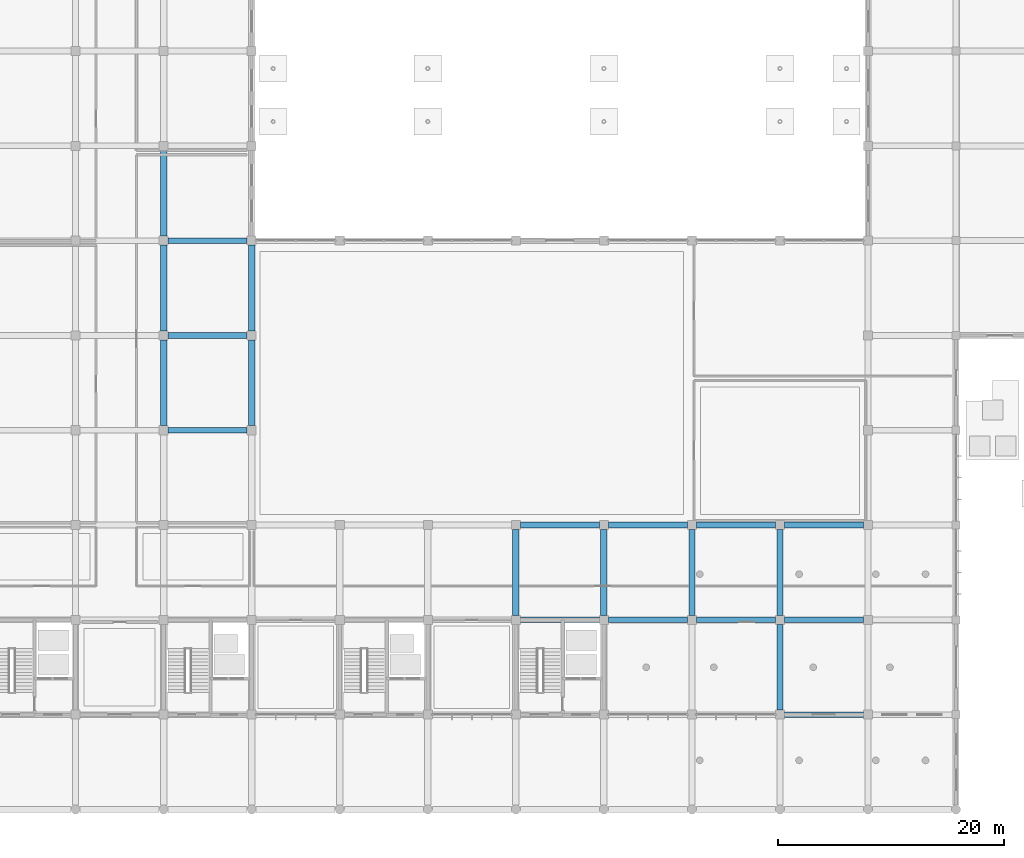
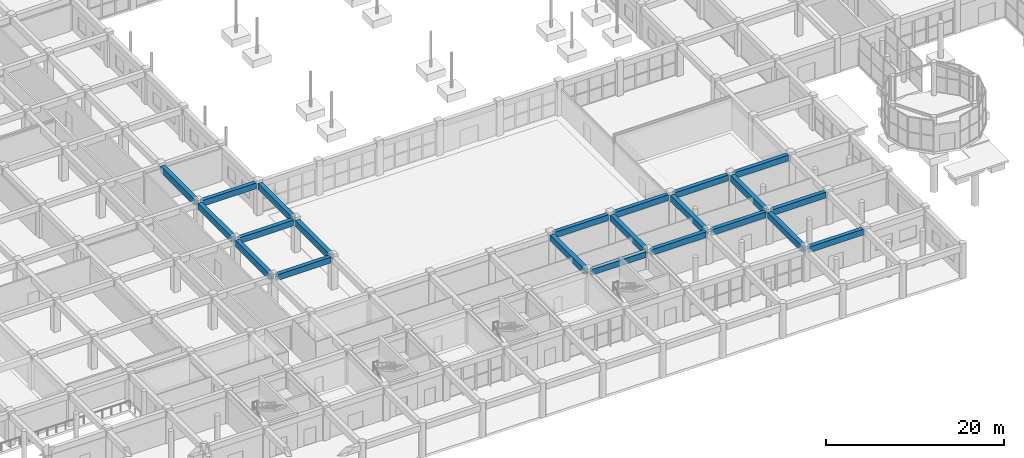
# One storey, part 22 of 139: 22 beams.
"""IFC4 building model written with IfcOpenShell, lengths in metres."""

import ifcopenshell
import ifcopenshell.guid

model = None  # the IFC model being written
_history = None  # IfcOwnerHistory: only IFC2X3 demands one
_inside = {}  # id of a spatial element -> (the spatial element, [elements in it])
_under = {}  # id of a project, library or spatial element -> (it, [spatial elements below it])
_declared = {}  # id of a project -> (the project, [libraries it declares])
_typed = {}  # id of a type object -> (the type object, [elements of that type])
_made_of = {}  # id of a material, layer set ... -> (it, [elements and type objects made of it])


def new_model(schema):
    """Start an empty IFC model of exactly this schema.

    Asked for "IFC4X3", IfcOpenShell would pick the latest addendum, in which some entities
    have other attributes; the version numbers below select the first issue.
    IFC2X3 requires an IfcOwnerHistory on every rooted entity: one is made here for all.
    """
    global model, _history
    if schema == "IFC4X3":
        model = ifcopenshell.file(schema_version=(4, 3, 0, 0))
    else:
        model = ifcopenshell.file(schema=schema)
    _inside.clear()
    _under.clear()
    _declared.clear()
    _typed.clear()
    _made_of.clear()
    _history = None
    if model.schema == "IFC2X3":
        org = make("IfcOrganization", Name="unknown")
        user = make(
            "IfcPersonAndOrganization",
            ThePerson=make("IfcPerson", FamilyName="unknown"),
            TheOrganization=org,
        )
        app = make(
            "IfcApplication",
            ApplicationDeveloper=org,
            Version="unknown",
            ApplicationFullName="unknown",
            ApplicationIdentifier="unknown",
        )
        _history = make(
            "IfcOwnerHistory",
            OwningUser=user,
            OwningApplication=app,
            ChangeAction="ADDED",
            CreationDate=0,
        )
    return model


def make(cls, **values):
    """One entity of the class cls with the attributes given. An attribute that is None is left unset."""
    return model.create_entity(
        cls, **{name: value for name, value in values.items() if value is not None}
    )


def rooted(cls, **values):
    """An entity with a GlobalId (a new one), such as an element, a storey or a relation."""
    return make(cls, GlobalId=ifcopenshell.guid.new(), OwnerHistory=_history, **values)


def si_unit(unit_type, name, prefix=None):
    """IfcSIUnit, for example si_unit("LENGTHUNIT", "METRE", prefix="MILLI")."""
    return make("IfcSIUnit", UnitType=unit_type, Prefix=prefix, Name=name)


def assignment(units):
    """IfcUnitAssignment: the units of a project."""
    return None if units is None else make("IfcUnitAssignment", Units=units)


def point(xyz):
    """IfcCartesianPoint."""
    return None if xyz is None else make("IfcCartesianPoint", Coordinates=xyz)


def direction(xyz):
    """IfcDirection."""
    return None if xyz is None else make("IfcDirection", DirectionRatios=xyz)


def frame(location, z_axis=None, x_axis=None):
    """IfcAxis2Placement3D, a coordinate frame: its origin and axes. An axis left out is left unset."""
    return make(
        "IfcAxis2Placement3D",
        Location=point(location),
        Axis=direction(z_axis),
        RefDirection=direction(x_axis),
    )


def frame_2d(location, x_axis=None):
    """IfcAxis2Placement2D, a coordinate frame in the plane: its origin and x axis."""
    return make(
        "IfcAxis2Placement2D", Location=point(location), RefDirection=direction(x_axis)
    )


def origin():
    """The frame at (0, 0, 0) with its axes left unset."""
    return frame((0.0, 0.0, 0.0))


def origin_2d():
    """The frame at (0, 0) in the plane with its x axis left unset."""
    return frame_2d((0.0, 0.0))


def place(relative_to, where):
    """IfcLocalPlacement: puts the frame where relative to a parent placement (None: the world)."""
    return make(
        "IfcLocalPlacement", PlacementRelTo=relative_to, RelativePlacement=where
    )


def context(
    kind, dimensions, precision=None, world=None, true_north=None, identifier=None
):
    """IfcGeometricRepresentationContext, for example the 3D "Model" context."""
    return make(
        "IfcGeometricRepresentationContext",
        ContextIdentifier=identifier,
        ContextType=kind,
        CoordinateSpaceDimension=dimensions,
        Precision=precision,
        WorldCoordinateSystem=world,
        TrueNorth=true_north,
    )


def subcontext(parent, identifier, kind, view, scale=None):
    """IfcGeometricRepresentationSubContext, for example "Body" below "Model"."""
    return make(
        "IfcGeometricRepresentationSubContext",
        ContextIdentifier=identifier,
        ContextType=kind,
        ParentContext=parent,
        TargetScale=scale,
        TargetView=view,
    )


def project(units=None, contexts=None):
    """IfcProject with its units and contexts."""
    return rooted(
        "IfcProject",
        Name="project",
        RepresentationContexts=contexts,
        UnitsInContext=assignment(units),
    )


def spatial(cls, under=None, at=None, **own):
    """A site, building, storey or space (cls), placed at a placement, below another one or the project."""
    s = rooted(cls, ObjectPlacement=at, **own)
    if under is not None:
        _under.setdefault(under.id(), (under, []))[1].append(s)
    return s


def profile(cls, at=None, kind="AREA", **sizes):
    """A parametric profile (cls). Its sizes go by their IFC names, for example OverallWidth=200.0."""
    return make(cls, ProfileType=kind, Position=at, **sizes)


def rectangle(**sizes):
    """IfcRectangleProfileDef."""
    return profile("IfcRectangleProfileDef", **sizes)


def extrude(swept, where, along, depth):
    """IfcExtrudedAreaSolid: the profile swept, set in the frame where, extruded along a direction by depth."""
    return make(
        "IfcExtrudedAreaSolid",
        SweptArea=swept,
        Position=where,
        ExtrudedDirection=direction(along),
        Depth=depth,
    )


def shape(context_of_items, identifier, shape_type, items):
    """IfcShapeRepresentation: the items that make up one representation, for example the "Body"."""
    return make(
        "IfcShapeRepresentation",
        ContextOfItems=context_of_items,
        RepresentationIdentifier=identifier,
        RepresentationType=shape_type,
        Items=items,
    )


def material(Name=None, Category=None):
    """IfcMaterial."""
    return make("IfcMaterial", Name=Name, Category=Category)


def material_profile(
    of_material, cross_section, Name=None, Category=None, Priority=None
):
    """IfcMaterialProfile: a cross section and its material."""
    return make(
        "IfcMaterialProfile",
        Name=Name,
        Material=of_material,
        Profile=cross_section,
        Priority=Priority,
        Category=Category,
    )


def profile_set(profiles, Name=None, composite=None):
    """IfcMaterialProfileSet."""
    return make(
        "IfcMaterialProfileSet",
        Name=Name,
        MaterialProfiles=profiles,
        CompositeProfile=composite,
    )


def made_of(thing, what):
    """Note that an element or type object is made of a material, layer set ...; save() writes the relation."""
    if what is not None:
        _made_of.setdefault(what.id(), (what, []))[1].append(thing)
    return thing


def type_object(cls, material=None, **own):
    """A type object (cls), such as IfcWallType, which elements share."""
    return made_of(rooted(cls, **own), material)


def element(
    cls,
    number,
    at=None,
    inside=None,
    cuts=None,
    type_object=None,
    material=None,
    context=None,
    identifier="Body",
    shape_type=None,
    held_by="IfcProductDefinitionShape",
    body=None,
    shapes=None,
    **own,
):
    """One element of the class cls, such as IfcWall. Its Tag is "e" and its number.

    at: its placement. inside: the storey or other place that contains it. cuts: it is an
    opening in that element (IfcRelVoidsElement). A single representation is given by context,
    identifier, shape_type and body (its items); several are given by shapes. held_by: the class
    of the entity that holds the representations. save() writes the other relations.
    """
    e = rooted(cls, Tag="e%d" % number, ObjectPlacement=at, **own)
    if body is not None:
        shapes = [shape(context, identifier, shape_type, body)]
    if shapes is not None:
        e.Representation = make(held_by, Representations=shapes)
    if inside is not None:
        _inside.setdefault(inside.id(), (inside, []))[1].append(e)
    if cuts is not None:
        rooted(
            "IfcRelVoidsElement", RelatingBuildingElement=cuts, RelatedOpeningElement=e
        )
    if type_object is not None:
        _typed.setdefault(type_object.id(), (type_object, []))[1].append(e)
    return made_of(e, material)


def aggregate(whole, parts):
    """IfcRelAggregates: a whole, such as a stair, and the parts it consists of."""
    return rooted("IfcRelAggregates", RelatingObject=whole, RelatedObjects=parts)


def save(model, path):
    """Write the relations noted so far, then the file.

    IfcRelAggregates (storeys below a building ...), IfcRelContainedInSpatialStructure (elements
    in a storey), IfcRelDefinesByType, IfcRelAssociatesMaterial and IfcRelDeclares: one each for
    every whole, place, type object, material and project.
    """
    for whole, parts in _under.values():
        aggregate(whole, parts)
    for where, things in _inside.values():
        rooted(
            "IfcRelContainedInSpatialStructure",
            RelatedElements=things,
            RelatingStructure=where,
        )
    for kind, things in _typed.values():
        rooted("IfcRelDefinesByType", RelatedObjects=things, RelatingType=kind)
    for what, things in _made_of.values():
        rooted("IfcRelAssociatesMaterial", RelatedObjects=things, RelatingMaterial=what)
    for by, libraries in _declared.values():
        rooted("IfcRelDeclares", RelatingContext=by, RelatedDefinitions=libraries)
    model.write(path)


model = new_model("IFC4")

# Units and contexts
model_context = context("Model", 3, precision=1e-05, world=origin(), true_north=direction((0.0, 1.0)))
body_context = subcontext(model_context, "Body", "Model", "MODEL_VIEW")
ifc_project = project(units=[si_unit("LENGTHUNIT", "METRE"), si_unit("AREAUNIT", "SQUARE_METRE"), si_unit("VOLUMEUNIT", "CUBIC_METRE"), si_unit("PLANEANGLEUNIT", "RADIAN"), si_unit("MASSUNIT", "GRAM", prefix="KILO")], contexts=[model_context])

# Site, building, storey
site_placement = place(None, origin())
site = spatial("IfcSite", under=ifc_project, at=site_placement, CompositionType="ELEMENT")
building_placement = place(site_placement, origin())
building = spatial("IfcBuilding", under=site, at=building_placement, Name="Zizhar Promenade General Hospital", CompositionType="ELEMENT")
storey_placement = place(building_placement, origin())
storey = spatial("IfcBuildingStorey", under=building, at=storey_placement, Name="L00", CompositionType="ELEMENT", Elevation=0.0)

# Beams
ifc_material_1 = material(Name="Concrete C35/45", Category="concrete")
ifc_material_profile_1 = material_profile(ifc_material_1, rectangle(XDim=0.5, YDim=0.800048828125, at=origin_2d()))
ifc_profile_set_1 = profile_set([ifc_material_profile_1], Name="Concrete C35/45")
beam_type_1 = type_object("IfcBeamType", Name="BM-RC-500x800", PredefinedType="BEAM", material=ifc_profile_set_1)
for number, where, z_axis, x_axis, name in (
    (1, (62.800048828125, 33.60009765625, 4.070068359375), (1.0, 0.0, 0.0), (0.0, 1.0, 0.0), "Grid Beam X L00 (8-4)"),
    (2, (62.800048828125, 42.0, 4.070068359375), (1.0, 0.0, 0.0), (0.0, 1.0, 0.0), "Grid Beam X L00 (8-5)"),
    (3, (62.800048828125, 50.39990234375, 4.070068359375), (1.0, 0.0, 0.0), (0.0, 1.0, 0.0), "Grid Beam X L00 (8-6)"),
    (4, (94.0, 16.800048828125, 4.070068359375), (1.0, 0.0, 0.0), (0.0, 1.0, 0.0), "Grid Beam X L00 (12-2)"),
    (5, (94.0, 25.199951171875, 4.070068359375), (1.0, 0.0, 0.0), (0.0, 1.0, 0.0), "Grid Beam X L00 (12-3)"),
    (6, (101.800048828125, 16.800048828125, 4.070068359375), (1.0, 0.0, 0.0), (0.0, 1.0, 0.0), "Grid Beam X L00 (13-2)"),
    (7, (101.800048828125, 25.199951171875, 4.070068359375), (1.0, 0.0, 0.0), (0.0, 1.0, 0.0), "Grid Beam X L00 (13-3)"),
    (8, (109.60009765625, 16.800048828125, 4.070068359375), (1.0, 0.0, 0.0), (0.0, 1.0, 0.0), "Grid Beam X L00 (14-2)"),
    (9, (109.60009765625, 25.199951171875, 4.070068359375), (1.0, 0.0, 0.0), (0.0, 1.0, 0.0), "Grid Beam X L00 (14-3)"),
    (10, (117.39990234375, 8.39990234375, 4.070068359375), (1.0, 0.0, 0.0), (0.0, 1.0, 0.0), "Grid Beam X L00 (15-1)"),
    (11, (117.39990234375, 16.800048828125, 4.070068359375), (1.0, 0.0, 0.0), (0.0, 1.0, 0.0), "Grid Beam X L00 (15-2)"),
    (12, (117.39990234375, 25.199951171875, 4.070068359375), (1.0, 0.0, 0.0), (0.0, 1.0, 0.0), "Grid Beam X L00 (15-3)"),
):
    element("IfcBeam", number, at=place(storey_placement, frame(where, z_axis=z_axis, x_axis=x_axis)), inside=storey, type_object=beam_type_1, Name=name, PredefinedType="BEAM", context=body_context, shape_type="SweptSolid", body=[
        extrude(rectangle(XDim=0.5, YDim=0.800048828125, at=origin_2d()), origin(), (0.0, 0.0, 1.0), 7.0),
    ])
ifc_material_2 = material(Name="Concrete C35/45", Category="concrete")
ifc_material_profile_2 = material_profile(ifc_material_2, rectangle(XDim=0.550048828125, YDim=0.85009765625, at=origin_2d()))
ifc_profile_set_2 = profile_set([ifc_material_profile_2], Name="Concrete C35/45")
beam_type_2 = type_object("IfcBeamType", Name="BM-RC-550x850", PredefinedType="BEAM", material=ifc_profile_set_2)
for number, where, z_axis, x_axis, name in (
    (13, (62.39990234375, 34.0, 4.044921875), (0.0, 1.0, 0.0), (-1.0, 0.0, 0.0), "Grid Beam Y L00 (8-4)"),
    (14, (62.39990234375, 42.39990234375, 4.044921875), (0.0, 1.0, 0.0), (-1.0, 0.0, 0.0), "Grid Beam Y L00 (8-5)"),
):
    element("IfcBeam", number, at=place(storey_placement, frame(where, z_axis=z_axis, x_axis=x_axis)), inside=storey, type_object=beam_type_2, Name=name, PredefinedType="BEAM", context=body_context, shape_type="SweptSolid", body=[
        extrude(rectangle(XDim=0.550048828125, YDim=0.85009765625, at=origin_2d()), origin(), (0.0, 0.0, 1.0), 7.60009765625),
    ])
beam_1_placement = place(storey_placement, frame((62.39990234375, 50.800048828125, 4.044921875), z_axis=(0.0, 1.0, 0.0), x_axis=(-1.0, 0.0, 0.0)))
element("IfcBeam", 15, at=beam_1_placement, inside=storey, type_object=beam_type_2, Name="Grid Beam Y L00 (8-6)", PredefinedType="BEAM", context=body_context, shape_type="SweptSolid", body=[
    extrude(rectangle(XDim=0.550048828125, YDim=0.85009765625, at=origin_2d()), origin(), (0.0, 0.0, 1.0), 7.599853515625),
])
for number, where, z_axis, x_axis, name in (
    (16, (70.199951171875, 34.0, 4.044921875), (0.0, 1.0, 0.0), (-1.0, 0.0, 0.0), "Grid Beam Y L00 (9-4)"),
    (17, (70.199951171875, 42.39990234375, 4.044921875), (0.0, 1.0, 0.0), (-1.0, 0.0, 0.0), "Grid Beam Y L00 (9-5)"),
    (18, (93.60009765625, 17.199951171875, 4.044921875), (0.0, 1.0, 0.0), (-1.0, 0.0, 0.0), "Grid Beam Y L00 (12-2)"),
    (19, (101.39990234375, 17.199951171875, 4.044921875), (0.0, 1.0, 0.0), (-1.0, 0.0, 0.0), "Grid Beam Y L00 (13-2)"),
    (20, (109.199951171875, 17.199951171875, 4.044921875), (0.0, 1.0, 0.0), (-1.0, 0.0, 0.0), "Grid Beam Y L00 (14-2)"),
):
    element("IfcBeam", number, at=place(storey_placement, frame(where, z_axis=z_axis, x_axis=x_axis)), inside=storey, type_object=beam_type_2, Name=name, PredefinedType="BEAM", context=body_context, shape_type="SweptSolid", body=[
        extrude(rectangle(XDim=0.550048828125, YDim=0.85009765625, at=origin_2d()), origin(), (0.0, 0.0, 1.0), 7.60009765625),
    ])
beam_2_placement = place(storey_placement, frame((117.0, 8.800048828125, 4.044921875), z_axis=(0.0, 1.0, 0.0), x_axis=(-1.0, 0.0, 0.0)))
element("IfcBeam", 21, at=beam_2_placement, inside=storey, type_object=beam_type_2, Name="Grid Beam Y L00 (15-1)", PredefinedType="BEAM", context=body_context, shape_type="SweptSolid", body=[
    extrude(rectangle(XDim=0.550048828125, YDim=0.85009765625, at=origin_2d()), origin(), (0.0, 0.0, 1.0), 7.599853515625),
])
beam_3_placement = place(storey_placement, frame((117.0, 17.199951171875, 4.044921875), z_axis=(0.0, 1.0, 0.0), x_axis=(-1.0, 0.0, 0.0)))
element("IfcBeam", 22, at=beam_3_placement, inside=storey, type_object=beam_type_2, Name="Grid Beam Y L00 (15-2)", PredefinedType="BEAM", context=body_context, shape_type="SweptSolid", body=[
    extrude(rectangle(XDim=0.550048828125, YDim=0.85009765625, at=origin_2d()), origin(), (0.0, 0.0, 1.0), 7.60009765625),
])

save(model, "model.ifc")
